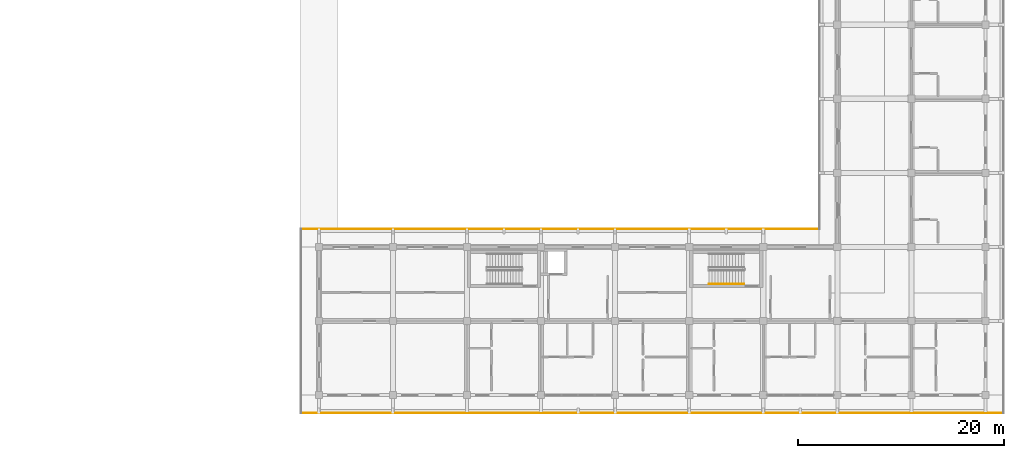
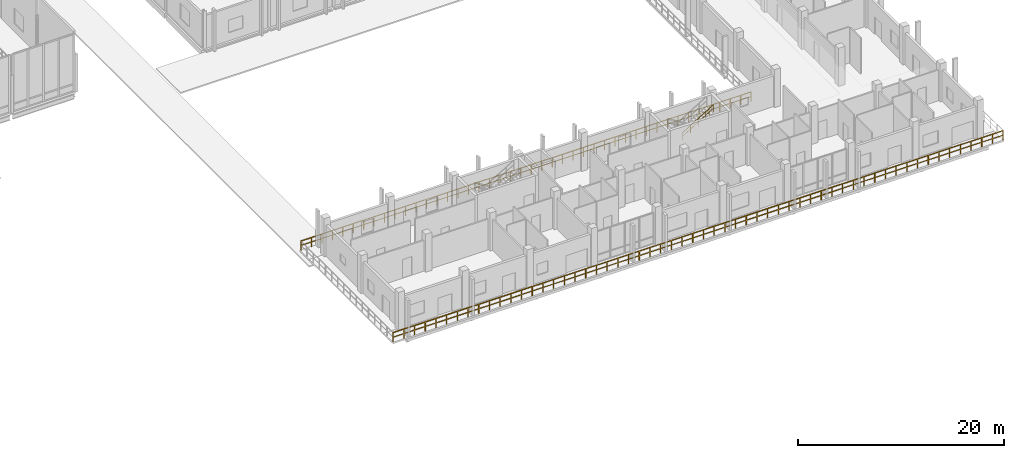
# One storey, part 105 of 110: 3 railings.
"""IFC4 building model written with IfcOpenShell, lengths in metres."""

import ifcopenshell
import ifcopenshell.guid

model = None  # the IFC model being written
_history = None  # IfcOwnerHistory: only IFC2X3 demands one
_inside = {}  # id of a spatial element -> (the spatial element, [elements in it])
_under = {}  # id of a project, library or spatial element -> (it, [spatial elements below it])
_declared = {}  # id of a project -> (the project, [libraries it declares])
_typed = {}  # id of a type object -> (the type object, [elements of that type])
_made_of = {}  # id of a material, layer set ... -> (it, [elements and type objects made of it])


def new_model(schema):
    """Start an empty IFC model of exactly this schema.

    Asked for "IFC4X3", IfcOpenShell would pick the latest addendum, in which some entities
    have other attributes; the version numbers below select the first issue.
    IFC2X3 requires an IfcOwnerHistory on every rooted entity: one is made here for all.
    """
    global model, _history
    if schema == "IFC4X3":
        model = ifcopenshell.file(schema_version=(4, 3, 0, 0))
    else:
        model = ifcopenshell.file(schema=schema)
    _inside.clear()
    _under.clear()
    _declared.clear()
    _typed.clear()
    _made_of.clear()
    _history = None
    if model.schema == "IFC2X3":
        org = make("IfcOrganization", Name="unknown")
        user = make(
            "IfcPersonAndOrganization",
            ThePerson=make("IfcPerson", FamilyName="unknown"),
            TheOrganization=org,
        )
        app = make(
            "IfcApplication",
            ApplicationDeveloper=org,
            Version="unknown",
            ApplicationFullName="unknown",
            ApplicationIdentifier="unknown",
        )
        _history = make(
            "IfcOwnerHistory",
            OwningUser=user,
            OwningApplication=app,
            ChangeAction="ADDED",
            CreationDate=0,
        )
    return model


def make(cls, **values):
    """One entity of the class cls with the attributes given. An attribute that is None is left unset."""
    return model.create_entity(
        cls, **{name: value for name, value in values.items() if value is not None}
    )


def rooted(cls, **values):
    """An entity with a GlobalId (a new one), such as an element, a storey or a relation."""
    return make(cls, GlobalId=ifcopenshell.guid.new(), OwnerHistory=_history, **values)


def si_unit(unit_type, name, prefix=None):
    """IfcSIUnit, for example si_unit("LENGTHUNIT", "METRE", prefix="MILLI")."""
    return make("IfcSIUnit", UnitType=unit_type, Prefix=prefix, Name=name)


def assignment(units):
    """IfcUnitAssignment: the units of a project."""
    return None if units is None else make("IfcUnitAssignment", Units=units)


def point(xyz):
    """IfcCartesianPoint."""
    return None if xyz is None else make("IfcCartesianPoint", Coordinates=xyz)


def direction(xyz):
    """IfcDirection."""
    return None if xyz is None else make("IfcDirection", DirectionRatios=xyz)


def frame(location, z_axis=None, x_axis=None):
    """IfcAxis2Placement3D, a coordinate frame: its origin and axes. An axis left out is left unset."""
    return make(
        "IfcAxis2Placement3D",
        Location=point(location),
        Axis=direction(z_axis),
        RefDirection=direction(x_axis),
    )


def frame_2d(location, x_axis=None):
    """IfcAxis2Placement2D, a coordinate frame in the plane: its origin and x axis."""
    return make(
        "IfcAxis2Placement2D", Location=point(location), RefDirection=direction(x_axis)
    )


def origin():
    """The frame at (0, 0, 0) with its axes left unset."""
    return frame((0.0, 0.0, 0.0))


def origin_2d():
    """The frame at (0, 0) in the plane with its x axis left unset."""
    return frame_2d((0.0, 0.0))


def place(relative_to, where):
    """IfcLocalPlacement: puts the frame where relative to a parent placement (None: the world)."""
    return make(
        "IfcLocalPlacement", PlacementRelTo=relative_to, RelativePlacement=where
    )


def context(
    kind, dimensions, precision=None, world=None, true_north=None, identifier=None
):
    """IfcGeometricRepresentationContext, for example the 3D "Model" context."""
    return make(
        "IfcGeometricRepresentationContext",
        ContextIdentifier=identifier,
        ContextType=kind,
        CoordinateSpaceDimension=dimensions,
        Precision=precision,
        WorldCoordinateSystem=world,
        TrueNorth=true_north,
    )


def subcontext(parent, identifier, kind, view, scale=None):
    """IfcGeometricRepresentationSubContext, for example "Body" below "Model"."""
    return make(
        "IfcGeometricRepresentationSubContext",
        ContextIdentifier=identifier,
        ContextType=kind,
        ParentContext=parent,
        TargetScale=scale,
        TargetView=view,
    )


def project(units=None, contexts=None):
    """IfcProject with its units and contexts."""
    return rooted(
        "IfcProject",
        Name="project",
        RepresentationContexts=contexts,
        UnitsInContext=assignment(units),
    )


def spatial(cls, under=None, at=None, **own):
    """A site, building, storey or space (cls), placed at a placement, below another one or the project."""
    s = rooted(cls, ObjectPlacement=at, **own)
    if under is not None:
        _under.setdefault(under.id(), (under, []))[1].append(s)
    return s


def profile(cls, at=None, kind="AREA", **sizes):
    """A parametric profile (cls). Its sizes go by their IFC names, for example OverallWidth=200.0."""
    return make(cls, ProfileType=kind, Position=at, **sizes)


def rectangle(**sizes):
    """IfcRectangleProfileDef."""
    return profile("IfcRectangleProfileDef", **sizes)


def extrude(swept, where, along, depth):
    """IfcExtrudedAreaSolid: the profile swept, set in the frame where, extruded along a direction by depth."""
    return make(
        "IfcExtrudedAreaSolid",
        SweptArea=swept,
        Position=where,
        ExtrudedDirection=direction(along),
        Depth=depth,
    )


def shape(context_of_items, identifier, shape_type, items):
    """IfcShapeRepresentation: the items that make up one representation, for example the "Body"."""
    return make(
        "IfcShapeRepresentation",
        ContextOfItems=context_of_items,
        RepresentationIdentifier=identifier,
        RepresentationType=shape_type,
        Items=items,
    )


def material(Name=None, Category=None):
    """IfcMaterial."""
    return make("IfcMaterial", Name=Name, Category=Category)


def made_of(thing, what):
    """Note that an element or type object is made of a material, layer set ...; save() writes the relation."""
    if what is not None:
        _made_of.setdefault(what.id(), (what, []))[1].append(thing)
    return thing


def type_object(cls, material=None, **own):
    """A type object (cls), such as IfcWallType, which elements share."""
    return made_of(rooted(cls, **own), material)


def element(
    cls,
    number,
    at=None,
    inside=None,
    cuts=None,
    type_object=None,
    material=None,
    context=None,
    identifier="Body",
    shape_type=None,
    held_by="IfcProductDefinitionShape",
    body=None,
    shapes=None,
    **own,
):
    """One element of the class cls, such as IfcWall. Its Tag is "e" and its number.

    at: its placement. inside: the storey or other place that contains it. cuts: it is an
    opening in that element (IfcRelVoidsElement). A single representation is given by context,
    identifier, shape_type and body (its items); several are given by shapes. held_by: the class
    of the entity that holds the representations. save() writes the other relations.
    """
    e = rooted(cls, Tag="e%d" % number, ObjectPlacement=at, **own)
    if body is not None:
        shapes = [shape(context, identifier, shape_type, body)]
    if shapes is not None:
        e.Representation = make(held_by, Representations=shapes)
    if inside is not None:
        _inside.setdefault(inside.id(), (inside, []))[1].append(e)
    if cuts is not None:
        rooted(
            "IfcRelVoidsElement", RelatingBuildingElement=cuts, RelatedOpeningElement=e
        )
    if type_object is not None:
        _typed.setdefault(type_object.id(), (type_object, []))[1].append(e)
    return made_of(e, material)


def aggregate(whole, parts):
    """IfcRelAggregates: a whole, such as a stair, and the parts it consists of."""
    return rooted("IfcRelAggregates", RelatingObject=whole, RelatedObjects=parts)


def save(model, path):
    """Write the relations noted so far, then the file.

    IfcRelAggregates (storeys below a building ...), IfcRelContainedInSpatialStructure (elements
    in a storey), IfcRelDefinesByType, IfcRelAssociatesMaterial and IfcRelDeclares: one each for
    every whole, place, type object, material and project.
    """
    for whole, parts in _under.values():
        aggregate(whole, parts)
    for where, things in _inside.values():
        rooted(
            "IfcRelContainedInSpatialStructure",
            RelatedElements=things,
            RelatingStructure=where,
        )
    for kind, things in _typed.values():
        rooted("IfcRelDefinesByType", RelatedObjects=things, RelatingType=kind)
    for what, things in _made_of.values():
        rooted("IfcRelAssociatesMaterial", RelatedObjects=things, RelatingMaterial=what)
    for by, libraries in _declared.values():
        rooted("IfcRelDeclares", RelatingContext=by, RelatedDefinitions=libraries)
    model.write(path)


model = new_model("IFC4")

# Units and contexts
model_context = context("Model", 3, precision=1e-05, world=origin(), true_north=direction((0.0, 1.0)))
body_context = subcontext(model_context, "Body", "Model", "MODEL_VIEW")
ifc_project = project(units=[si_unit("LENGTHUNIT", "METRE"), si_unit("AREAUNIT", "SQUARE_METRE"), si_unit("VOLUMEUNIT", "CUBIC_METRE"), si_unit("PLANEANGLEUNIT", "RADIAN"), si_unit("MASSUNIT", "GRAM", prefix="KILO")], contexts=[model_context])

# Site, building, storey
site_placement = place(None, origin())
site = spatial("IfcSite", under=ifc_project, at=site_placement, CompositionType="ELEMENT")
building_placement = place(site_placement, origin())
building = spatial("IfcBuilding", under=site, at=building_placement, Name="Suanplinth Sawtooth Commons", CompositionType="ELEMENT")
storey_placement = place(building_placement, frame((0.0, 0.0, 4.5)))
storey = spatial("IfcBuildingStorey", under=building, at=storey_placement, Name="L01", CompositionType="ELEMENT", Elevation=4.5)

# Railings
ifc_material_1 = material(Name="Powder-coated galvanized steel", Category="steel")
railing_type_1 = type_object("IfcRailingType", Name="GR-01", PredefinedType="BALUSTRADE", material=ifc_material_1)
railing_1_placement = place(storey_placement, frame((120.659912109375, 16.139892578125, 0.0)))
element("IfcRailing", 1, at=railing_1_placement, inside=storey, type_object=railing_type_1, Name="L01 Block C Perimeter Balustrade 2", PredefinedType="BALUSTRADE", context=body_context, shape_type="SweptSolid", body=[
    extrude(rectangle(XDim=0.048095703125, YDim=0.048095703125, at=origin_2d()), frame((0.0, 0.0, 1.09619140625), z_axis=(1.0, 0.0, 0.0), x_axis=(0.0, 1.0, 0.0)), (0.0, 0.0, 1.0), 50.400146484375),
    extrude(rectangle(XDim=0.03369140625, YDim=0.03369140625, at=origin_2d()), frame((0.0, 0.0, 0.56005859375), z_axis=(1.0, 0.0, 0.0), x_axis=(0.0, 1.0, 0.0)), (0.0, 0.0, 1.0), 50.400146484375),
    extrude(rectangle(XDim=0.0419921875, YDim=0.0419921875, at=origin_2d()), origin(), (0.0, 0.0, 1.0), 1.072021484375),
    extrude(rectangle(XDim=0.0419921875, YDim=0.0419921875, at=origin_2d()), frame((1.172119140625, 0.0, 0.0)), (0.0, 0.0, 1.0), 1.072021484375),
    extrude(rectangle(XDim=0.0419921875, YDim=0.0419921875, at=origin_2d()), frame((2.34423828125, 0.0, 0.0)), (0.0, 0.0, 1.0), 1.072021484375),
    extrude(rectangle(XDim=0.0419921875, YDim=0.0419921875, at=origin_2d()), frame((3.516357421875, 0.0, 0.0)), (0.0, 0.0, 1.0), 1.072021484375),
    extrude(rectangle(XDim=0.0419921875, YDim=0.0419921875, at=origin_2d()), frame((4.6884765625, 0.0, 0.0)), (0.0, 0.0, 1.0), 1.072021484375),
    extrude(rectangle(XDim=0.0419921875, YDim=0.0419921875, at=origin_2d()), frame((5.860595703125, 0.0, 0.0)), (0.0, 0.0, 1.0), 1.072021484375),
    extrude(rectangle(XDim=0.0419921875, YDim=0.0419921875, at=origin_2d()), frame((7.032470703125, 0.0, 0.0)), (0.0, 0.0, 1.0), 1.072021484375),
    extrude(rectangle(XDim=0.0419921875, YDim=0.0419921875, at=origin_2d()), frame((8.20458984375, 0.0, 0.0)), (0.0, 0.0, 1.0), 1.072021484375),
    extrude(rectangle(XDim=0.0419921875, YDim=0.0419921875, at=origin_2d()), frame((9.376708984375, 0.0, 0.0)), (0.0, 0.0, 1.0), 1.072021484375),
    extrude(rectangle(XDim=0.0419921875, YDim=0.0419921875, at=origin_2d()), frame((10.548828125, 0.0, 0.0)), (0.0, 0.0, 1.0), 1.072021484375),
    extrude(rectangle(XDim=0.0419921875, YDim=0.0419921875, at=origin_2d()), frame((11.720947265625, 0.0, 0.0)), (0.0, 0.0, 1.0), 1.072021484375),
    extrude(rectangle(XDim=0.0419921875, YDim=0.0419921875, at=origin_2d()), frame((12.89306640625, 0.0, 0.0)), (0.0, 0.0, 1.0), 1.072021484375),
    extrude(rectangle(XDim=0.0419921875, YDim=0.0419921875, at=origin_2d()), frame((14.065185546875, 0.0, 0.0)), (0.0, 0.0, 1.0), 1.072021484375),
    extrude(rectangle(XDim=0.0419921875, YDim=0.0419921875, at=origin_2d()), frame((15.2373046875, 0.0, 0.0)), (0.0, 0.0, 1.0), 1.072021484375),
    extrude(rectangle(XDim=0.0419921875, YDim=0.0419921875, at=origin_2d()), frame((16.409423828125, 0.0, 0.0)), (0.0, 0.0, 1.0), 1.072021484375),
    extrude(rectangle(XDim=0.0419921875, YDim=0.0419921875, at=origin_2d()), frame((17.58154296875, 0.0, 0.0)), (0.0, 0.0, 1.0), 1.072021484375),
    extrude(rectangle(XDim=0.0419921875, YDim=0.0419921875, at=origin_2d()), frame((18.753662109375, 0.0, 0.0)), (0.0, 0.0, 1.0), 1.072021484375),
    extrude(rectangle(XDim=0.0419921875, YDim=0.0419921875, at=origin_2d()), frame((19.925537109375, 0.0, 0.0)), (0.0, 0.0, 1.0), 1.072021484375),
    extrude(rectangle(XDim=0.0419921875, YDim=0.0419921875, at=origin_2d()), frame((21.09765625, 0.0, 0.0)), (0.0, 0.0, 1.0), 1.072021484375),
    extrude(rectangle(XDim=0.0419921875, YDim=0.0419921875, at=origin_2d()), frame((22.269775390625, 0.0, 0.0)), (0.0, 0.0, 1.0), 1.072021484375),
    extrude(rectangle(XDim=0.0419921875, YDim=0.0419921875, at=origin_2d()), frame((23.44189453125, 0.0, 0.0)), (0.0, 0.0, 1.0), 1.072021484375),
    extrude(rectangle(XDim=0.0419921875, YDim=0.0419921875, at=origin_2d()), frame((24.614013671875, 0.0, 0.0)), (0.0, 0.0, 1.0), 1.072021484375),
    extrude(rectangle(XDim=0.0419921875, YDim=0.0419921875, at=origin_2d()), frame((25.7861328125, 0.0, 0.0)), (0.0, 0.0, 1.0), 1.072021484375),
    extrude(rectangle(XDim=0.0419921875, YDim=0.0419921875, at=origin_2d()), frame((26.958251953125, 0.0, 0.0)), (0.0, 0.0, 1.0), 1.072021484375),
    extrude(rectangle(XDim=0.0419921875, YDim=0.0419921875, at=origin_2d()), frame((28.13037109375, 0.0, 0.0)), (0.0, 0.0, 1.0), 1.072021484375),
    extrude(rectangle(XDim=0.0419921875, YDim=0.0419921875, at=origin_2d()), frame((29.302490234375, 0.0, 0.0)), (0.0, 0.0, 1.0), 1.072021484375),
    extrude(rectangle(XDim=0.0419921875, YDim=0.0419921875, at=origin_2d()), frame((30.474609375, 0.0, 0.0)), (0.0, 0.0, 1.0), 1.072021484375),
    extrude(rectangle(XDim=0.0419921875, YDim=0.0419921875, at=origin_2d()), frame((31.646484375, 0.0, 0.0)), (0.0, 0.0, 1.0), 1.072021484375),
    extrude(rectangle(XDim=0.0419921875, YDim=0.0419921875, at=origin_2d()), frame((32.818603515625, 0.0, 0.0)), (0.0, 0.0, 1.0), 1.072021484375),
    extrude(rectangle(XDim=0.0419921875, YDim=0.0419921875, at=origin_2d()), frame((33.99072265625, 0.0, 0.0)), (0.0, 0.0, 1.0), 1.072021484375),
    extrude(rectangle(XDim=0.0419921875, YDim=0.0419921875, at=origin_2d()), frame((35.162841796875, 0.0, 0.0)), (0.0, 0.0, 1.0), 1.072021484375),
    extrude(rectangle(XDim=0.0419921875, YDim=0.0419921875, at=origin_2d()), frame((36.3349609375, 0.0, 0.0)), (0.0, 0.0, 1.0), 1.072021484375),
    extrude(rectangle(XDim=0.0419921875, YDim=0.0419921875, at=origin_2d()), frame((37.507080078125, 0.0, 0.0)), (0.0, 0.0, 1.0), 1.072021484375),
    extrude(rectangle(XDim=0.0419921875, YDim=0.0419921875, at=origin_2d()), frame((38.67919921875, 0.0, 0.0)), (0.0, 0.0, 1.0), 1.072021484375),
    extrude(rectangle(XDim=0.0419921875, YDim=0.0419921875, at=origin_2d()), frame((39.851318359375, 0.0, 0.0)), (0.0, 0.0, 1.0), 1.072021484375),
    extrude(rectangle(XDim=0.0419921875, YDim=0.0419921875, at=origin_2d()), frame((41.0234375, 0.0, 0.0)), (0.0, 0.0, 1.0), 1.072021484375),
    extrude(rectangle(XDim=0.0419921875, YDim=0.0419921875, at=origin_2d()), frame((42.195556640625, 0.0, 0.0)), (0.0, 0.0, 1.0), 1.072021484375),
    extrude(rectangle(XDim=0.0419921875, YDim=0.0419921875, at=origin_2d()), frame((43.36767578125, 0.0, 0.0)), (0.0, 0.0, 1.0), 1.072021484375),
    extrude(rectangle(XDim=0.0419921875, YDim=0.0419921875, at=origin_2d()), frame((44.53955078125, 0.0, 0.0)), (0.0, 0.0, 1.0), 1.072021484375),
    extrude(rectangle(XDim=0.0419921875, YDim=0.0419921875, at=origin_2d()), frame((45.711669921875, 0.0, 0.0)), (0.0, 0.0, 1.0), 1.072021484375),
    extrude(rectangle(XDim=0.0419921875, YDim=0.0419921875, at=origin_2d()), frame((46.8837890625, 0.0, 0.0)), (0.0, 0.0, 1.0), 1.072021484375),
    extrude(rectangle(XDim=0.0419921875, YDim=0.0419921875, at=origin_2d()), frame((48.055908203125, 0.0, 0.0)), (0.0, 0.0, 1.0), 1.072021484375),
    extrude(rectangle(XDim=0.0419921875, YDim=0.0419921875, at=origin_2d()), frame((49.22802734375, 0.0, 0.0)), (0.0, 0.0, 1.0), 1.072021484375),
    extrude(rectangle(XDim=0.0419921875, YDim=0.0419921875, at=origin_2d()), frame((50.400146484375, 0.0, 0.0)), (0.0, 0.0, 1.0), 1.072021484375),
])
railing_2_placement = place(storey_placement, frame((188.93994140625, -1.739990234375, 0.0)))
element("IfcRailing", 2, at=railing_2_placement, inside=storey, type_object=railing_type_1, Name="L01 Block C Perimeter Balustrade 6", PredefinedType="BALUSTRADE", context=body_context, shape_type="SweptSolid", body=[
    extrude(rectangle(XDim=0.048095703125, YDim=0.048095703125, at=origin_2d()), frame((0.0, 0.0, 1.09619140625), z_axis=(-1.0, 0.0, 0.0), x_axis=(0.0, -1.0, 0.0)), (0.0, 0.0, 1.0), 68.280029296875),
    extrude(rectangle(XDim=0.03369140625, YDim=0.03369140625, at=origin_2d()), frame((0.0, 0.0, 0.56005859375), z_axis=(-1.0, 0.0, 0.0), x_axis=(0.0, -1.0, 0.0)), (0.0, 0.0, 1.0), 68.280029296875),
    extrude(rectangle(XDim=0.0419921875, YDim=0.0419921875, at=origin_2d()), origin(), (0.0, 0.0, 1.0), 1.072021484375),
    extrude(rectangle(XDim=0.0419921875, YDim=0.0419921875, at=origin_2d()), frame((-1.197998046875, 0.0, 0.0)), (0.0, 0.0, 1.0), 1.072021484375),
    extrude(rectangle(XDim=0.0419921875, YDim=0.0419921875, at=origin_2d()), frame((-2.395751953125, 0.0, 0.0)), (0.0, 0.0, 1.0), 1.072021484375),
    extrude(rectangle(XDim=0.0419921875, YDim=0.0419921875, at=origin_2d()), frame((-3.59375, 0.0, 0.0)), (0.0, 0.0, 1.0), 1.072021484375),
    extrude(rectangle(XDim=0.0419921875, YDim=0.0419921875, at=origin_2d()), frame((-4.79150390625, 0.0, 0.0)), (0.0, 0.0, 1.0), 1.072021484375),
    extrude(rectangle(XDim=0.0419921875, YDim=0.0419921875, at=origin_2d()), frame((-5.989501953125, 0.0, 0.0)), (0.0, 0.0, 1.0), 1.072021484375),
    extrude(rectangle(XDim=0.0419921875, YDim=0.0419921875, at=origin_2d()), frame((-7.187255859375, 0.0, 0.0)), (0.0, 0.0, 1.0), 1.072021484375),
    extrude(rectangle(XDim=0.0419921875, YDim=0.0419921875, at=origin_2d()), frame((-8.38525390625, 0.0, 0.0)), (0.0, 0.0, 1.0), 1.072021484375),
    extrude(rectangle(XDim=0.0419921875, YDim=0.0419921875, at=origin_2d()), frame((-9.583251953125, 0.0, 0.0)), (0.0, 0.0, 1.0), 1.072021484375),
    extrude(rectangle(XDim=0.0419921875, YDim=0.0419921875, at=origin_2d()), frame((-10.781005859375, 0.0, 0.0)), (0.0, 0.0, 1.0), 1.072021484375),
    extrude(rectangle(XDim=0.0419921875, YDim=0.0419921875, at=origin_2d()), frame((-11.97900390625, 0.0, 0.0)), (0.0, 0.0, 1.0), 1.072021484375),
    extrude(rectangle(XDim=0.0419921875, YDim=0.0419921875, at=origin_2d()), frame((-13.1767578125, 0.0, 0.0)), (0.0, 0.0, 1.0), 1.072021484375),
    extrude(rectangle(XDim=0.0419921875, YDim=0.0419921875, at=origin_2d()), frame((-14.374755859375, 0.0, 0.0)), (0.0, 0.0, 1.0), 1.072021484375),
    extrude(rectangle(XDim=0.0419921875, YDim=0.0419921875, at=origin_2d()), frame((-15.57275390625, 0.0, 0.0)), (0.0, 0.0, 1.0), 1.072021484375),
    extrude(rectangle(XDim=0.0419921875, YDim=0.0419921875, at=origin_2d()), frame((-16.7705078125, 0.0, 0.0)), (0.0, 0.0, 1.0), 1.072021484375),
    extrude(rectangle(XDim=0.0419921875, YDim=0.0419921875, at=origin_2d()), frame((-17.968505859375, 0.0, 0.0)), (0.0, 0.0, 1.0), 1.072021484375),
    extrude(rectangle(XDim=0.0419921875, YDim=0.0419921875, at=origin_2d()), frame((-19.166259765625, 0.0, 0.0)), (0.0, 0.0, 1.0), 1.072021484375),
    extrude(rectangle(XDim=0.0419921875, YDim=0.0419921875, at=origin_2d()), frame((-20.3642578125, 0.0, 0.0)), (0.0, 0.0, 1.0), 1.072021484375),
    extrude(rectangle(XDim=0.0419921875, YDim=0.0419921875, at=origin_2d()), frame((-21.56201171875, 0.0, 0.0)), (0.0, 0.0, 1.0), 1.072021484375),
    extrude(rectangle(XDim=0.0419921875, YDim=0.0419921875, at=origin_2d()), frame((-22.760009765625, 0.0, 0.0)), (0.0, 0.0, 1.0), 1.072021484375),
    extrude(rectangle(XDim=0.0419921875, YDim=0.0419921875, at=origin_2d()), frame((-23.9580078125, 0.0, 0.0)), (0.0, 0.0, 1.0), 1.072021484375),
    extrude(rectangle(XDim=0.0419921875, YDim=0.0419921875, at=origin_2d()), frame((-25.15576171875, 0.0, 0.0)), (0.0, 0.0, 1.0), 1.072021484375),
    extrude(rectangle(XDim=0.0419921875, YDim=0.0419921875, at=origin_2d()), frame((-26.353759765625, 0.0, 0.0)), (0.0, 0.0, 1.0), 1.072021484375),
    extrude(rectangle(XDim=0.0419921875, YDim=0.0419921875, at=origin_2d()), frame((-27.551513671875, 0.0, 0.0)), (0.0, 0.0, 1.0), 1.072021484375),
    extrude(rectangle(XDim=0.0419921875, YDim=0.0419921875, at=origin_2d()), frame((-28.74951171875, 0.0, 0.0)), (0.0, 0.0, 1.0), 1.072021484375),
    extrude(rectangle(XDim=0.0419921875, YDim=0.0419921875, at=origin_2d()), frame((-29.947265625, 0.0, 0.0)), (0.0, 0.0, 1.0), 1.072021484375),
    extrude(rectangle(XDim=0.0419921875, YDim=0.0419921875, at=origin_2d()), frame((-31.145263671875, 0.0, 0.0)), (0.0, 0.0, 1.0), 1.072021484375),
    extrude(rectangle(XDim=0.0419921875, YDim=0.0419921875, at=origin_2d()), frame((-32.34326171875, 0.0, 0.0)), (0.0, 0.0, 1.0), 1.072021484375),
    extrude(rectangle(XDim=0.0419921875, YDim=0.0419921875, at=origin_2d()), frame((-33.541015625, 0.0, 0.0)), (0.0, 0.0, 1.0), 1.072021484375),
    extrude(rectangle(XDim=0.0419921875, YDim=0.0419921875, at=origin_2d()), frame((-34.739013671875, 0.0, 0.0)), (0.0, 0.0, 1.0), 1.072021484375),
    extrude(rectangle(XDim=0.0419921875, YDim=0.0419921875, at=origin_2d()), frame((-35.936767578125, 0.0, 0.0)), (0.0, 0.0, 1.0), 1.072021484375),
    extrude(rectangle(XDim=0.0419921875, YDim=0.0419921875, at=origin_2d()), frame((-37.134765625, 0.0, 0.0)), (0.0, 0.0, 1.0), 1.072021484375),
    extrude(rectangle(XDim=0.0419921875, YDim=0.0419921875, at=origin_2d()), frame((-38.332763671875, 0.0, 0.0)), (0.0, 0.0, 1.0), 1.072021484375),
    extrude(rectangle(XDim=0.0419921875, YDim=0.0419921875, at=origin_2d()), frame((-39.530517578125, 0.0, 0.0)), (0.0, 0.0, 1.0), 1.072021484375),
    extrude(rectangle(XDim=0.0419921875, YDim=0.0419921875, at=origin_2d()), frame((-40.728515625, 0.0, 0.0)), (0.0, 0.0, 1.0), 1.072021484375),
    extrude(rectangle(XDim=0.0419921875, YDim=0.0419921875, at=origin_2d()), frame((-41.92626953125, 0.0, 0.0)), (0.0, 0.0, 1.0), 1.072021484375),
    extrude(rectangle(XDim=0.0419921875, YDim=0.0419921875, at=origin_2d()), frame((-43.124267578125, 0.0, 0.0)), (0.0, 0.0, 1.0), 1.072021484375),
    extrude(rectangle(XDim=0.0419921875, YDim=0.0419921875, at=origin_2d()), frame((-44.322021484375, 0.0, 0.0)), (0.0, 0.0, 1.0), 1.072021484375),
    extrude(rectangle(XDim=0.0419921875, YDim=0.0419921875, at=origin_2d()), frame((-45.52001953125, 0.0, 0.0)), (0.0, 0.0, 1.0), 1.072021484375),
    extrude(rectangle(XDim=0.0419921875, YDim=0.0419921875, at=origin_2d()), frame((-46.718017578125, 0.0, 0.0)), (0.0, 0.0, 1.0), 1.072021484375),
    extrude(rectangle(XDim=0.0419921875, YDim=0.0419921875, at=origin_2d()), frame((-47.915771484375, 0.0, 0.0)), (0.0, 0.0, 1.0), 1.072021484375),
    extrude(rectangle(XDim=0.0419921875, YDim=0.0419921875, at=origin_2d()), frame((-49.11376953125, 0.0, 0.0)), (0.0, 0.0, 1.0), 1.072021484375),
    extrude(rectangle(XDim=0.0419921875, YDim=0.0419921875, at=origin_2d()), frame((-50.3115234375, 0.0, 0.0)), (0.0, 0.0, 1.0), 1.072021484375),
    extrude(rectangle(XDim=0.0419921875, YDim=0.0419921875, at=origin_2d()), frame((-51.509521484375, 0.0, 0.0)), (0.0, 0.0, 1.0), 1.072021484375),
    extrude(rectangle(XDim=0.0419921875, YDim=0.0419921875, at=origin_2d()), frame((-52.707275390625, 0.0, 0.0)), (0.0, 0.0, 1.0), 1.072021484375),
    extrude(rectangle(XDim=0.0419921875, YDim=0.0419921875, at=origin_2d()), frame((-53.9052734375, 0.0, 0.0)), (0.0, 0.0, 1.0), 1.072021484375),
    extrude(rectangle(XDim=0.0419921875, YDim=0.0419921875, at=origin_2d()), frame((-55.103271484375, 0.0, 0.0)), (0.0, 0.0, 1.0), 1.072021484375),
    extrude(rectangle(XDim=0.0419921875, YDim=0.0419921875, at=origin_2d()), frame((-56.301025390625, 0.0, 0.0)), (0.0, 0.0, 1.0), 1.072021484375),
    extrude(rectangle(XDim=0.0419921875, YDim=0.0419921875, at=origin_2d()), frame((-57.4990234375, 0.0, 0.0)), (0.0, 0.0, 1.0), 1.072021484375),
    extrude(rectangle(XDim=0.0419921875, YDim=0.0419921875, at=origin_2d()), frame((-58.69677734375, 0.0, 0.0)), (0.0, 0.0, 1.0), 1.072021484375),
    extrude(rectangle(XDim=0.0419921875, YDim=0.0419921875, at=origin_2d()), frame((-59.894775390625, 0.0, 0.0)), (0.0, 0.0, 1.0), 1.072021484375),
    extrude(rectangle(XDim=0.0419921875, YDim=0.0419921875, at=origin_2d()), frame((-61.0927734375, 0.0, 0.0)), (0.0, 0.0, 1.0), 1.072021484375),
    extrude(rectangle(XDim=0.0419921875, YDim=0.0419921875, at=origin_2d()), frame((-62.29052734375, 0.0, 0.0)), (0.0, 0.0, 1.0), 1.072021484375),
    extrude(rectangle(XDim=0.0419921875, YDim=0.0419921875, at=origin_2d()), frame((-63.488525390625, 0.0, 0.0)), (0.0, 0.0, 1.0), 1.072021484375),
    extrude(rectangle(XDim=0.0419921875, YDim=0.0419921875, at=origin_2d()), frame((-64.686279296875, 0.0, 0.0)), (0.0, 0.0, 1.0), 1.072021484375),
    extrude(rectangle(XDim=0.0419921875, YDim=0.0419921875, at=origin_2d()), frame((-65.88427734375, 0.0, 0.0)), (0.0, 0.0, 1.0), 1.072021484375),
    extrude(rectangle(XDim=0.0419921875, YDim=0.0419921875, at=origin_2d()), frame((-67.08203125, 0.0, 0.0)), (0.0, 0.0, 1.0), 1.072021484375),
    extrude(rectangle(XDim=0.0419921875, YDim=0.0419921875, at=origin_2d()), frame((-68.280029296875, 0.0, 0.0)), (0.0, 0.0, 1.0), 1.072021484375),
])
ifc_material_2 = material(Name="Stainless steel Grade 304", Category="steel")
railing_type_2 = type_object("IfcRailingType", Name="HR-01", PredefinedType="HANDRAIL", material=ifc_material_2)
railing_3_placement = place(storey_placement, frame((160.330078125, 10.800048828125, 2.423095703125)))
element("IfcRailing", 3, at=railing_3_placement, inside=storey, type_object=railing_type_2, Name="L01 ST-S2 Handrail 2", PredefinedType="HANDRAIL", context=body_context, shape_type="SweptSolid", body=[
    extrude(rectangle(XDim=0.048095703125, YDim=0.048095703125, at=origin_2d()), frame((0.0, 0.0, 0.8759765625), z_axis=(0.854729506542, 0.0, 0.519073665916), x_axis=(0.0, 1.0, 0.0)), (0.0, 0.0, 1.0), 4.001220703125),
    extrude(rectangle(XDim=0.03369140625, YDim=0.03369140625, at=origin_2d()), frame((0.0, 0.0, 0.449951171875), z_axis=(0.854729506542, 0.0, 0.519073665916), x_axis=(0.0, 1.0, 0.0)), (0.0, 0.0, 1.0), 4.001220703125),
    extrude(rectangle(XDim=0.0419921875, YDim=0.0419921875, at=origin_2d()), origin(), (0.0, 0.0, 1.0), 0.851806640625),
    extrude(rectangle(XDim=0.0419921875, YDim=0.0419921875, at=origin_2d()), frame((0.85498046875, 0.0, 0.519287109375)), (0.0, 0.0, 1.0), 0.851806640625),
    extrude(rectangle(XDim=0.0419921875, YDim=0.0419921875, at=origin_2d()), frame((1.7099609375, 0.0, 1.03857421875)), (0.0, 0.0, 1.0), 0.851806640625),
    extrude(rectangle(XDim=0.0419921875, YDim=0.0419921875, at=origin_2d()), frame((2.56494140625, 0.0, 1.5576171875)), (0.0, 0.0, 1.0), 0.851806640625),
    extrude(rectangle(XDim=0.0419921875, YDim=0.0419921875, at=origin_2d()), frame((3.419921875, 0.0, 2.076904296875)), (0.0, 0.0, 1.0), 0.851806640625),
])

save(model, "model.ifc")
